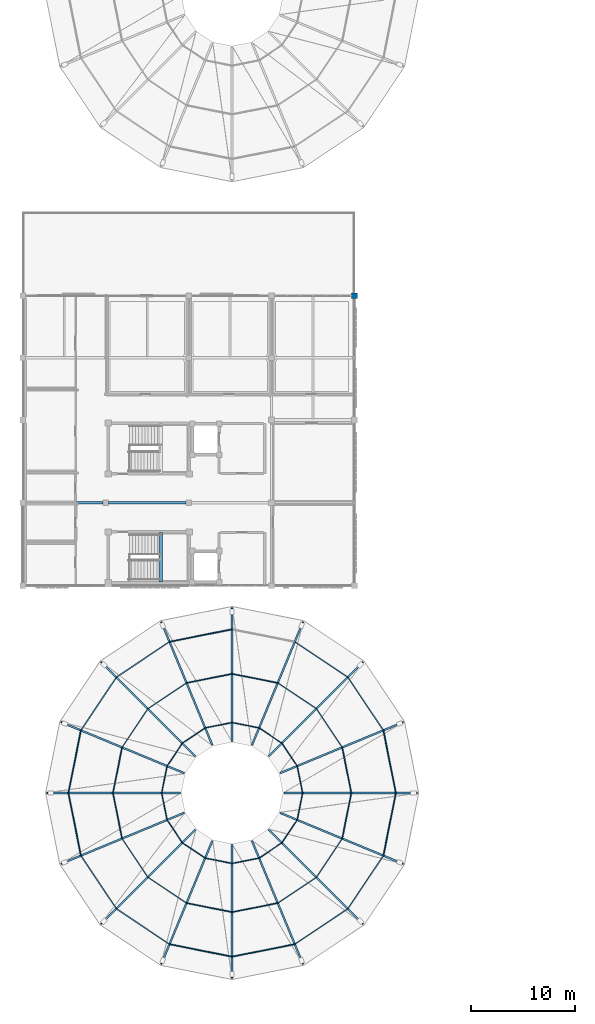
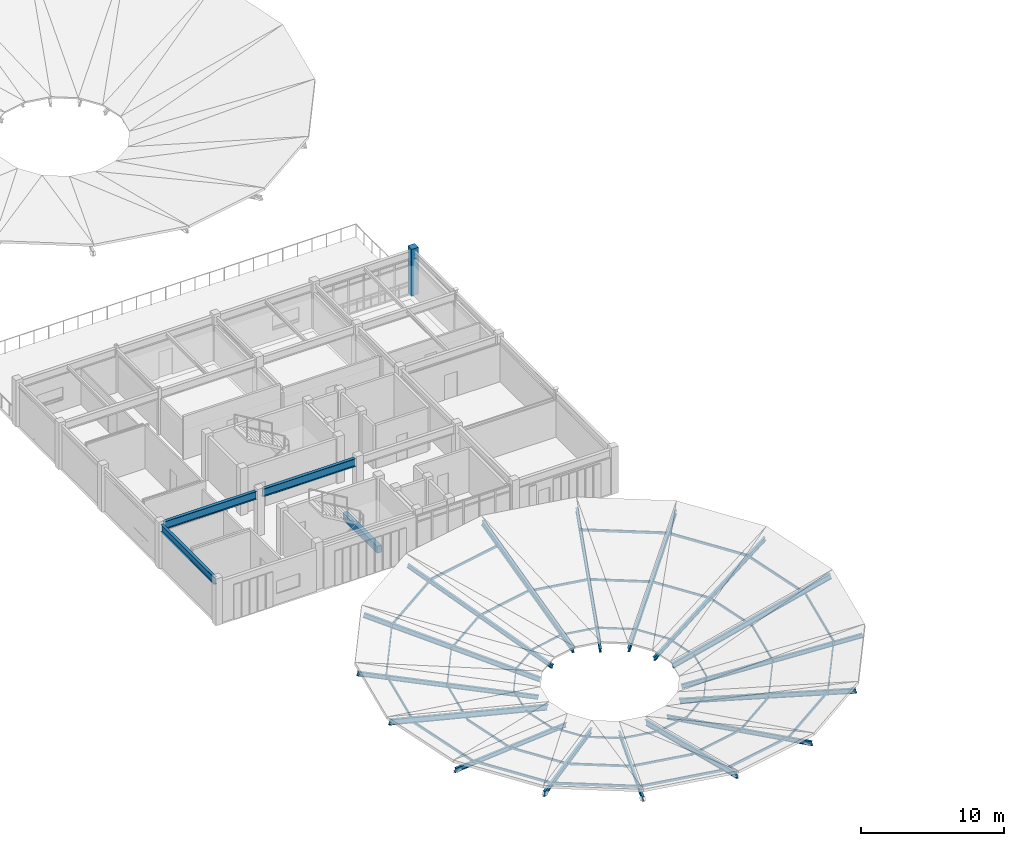
# One storey, part 5 of 31: 63 members, 4 beams, 1 column.
"""IFC4 building model written with IfcOpenShell, lengths in metres."""

import ifcopenshell
import ifcopenshell.guid

model = None  # the IFC model being written
_history = None  # IfcOwnerHistory: only IFC2X3 demands one
_inside = {}  # id of a spatial element -> (the spatial element, [elements in it])
_under = {}  # id of a project, library or spatial element -> (it, [spatial elements below it])
_declared = {}  # id of a project -> (the project, [libraries it declares])
_typed = {}  # id of a type object -> (the type object, [elements of that type])
_made_of = {}  # id of a material, layer set ... -> (it, [elements and type objects made of it])


def new_model(schema):
    """Start an empty IFC model of exactly this schema.

    Asked for "IFC4X3", IfcOpenShell would pick the latest addendum, in which some entities
    have other attributes; the version numbers below select the first issue.
    IFC2X3 requires an IfcOwnerHistory on every rooted entity: one is made here for all.
    """
    global model, _history
    if schema == "IFC4X3":
        model = ifcopenshell.file(schema_version=(4, 3, 0, 0))
    else:
        model = ifcopenshell.file(schema=schema)
    _inside.clear()
    _under.clear()
    _declared.clear()
    _typed.clear()
    _made_of.clear()
    _history = None
    if model.schema == "IFC2X3":
        org = make("IfcOrganization", Name="unknown")
        user = make(
            "IfcPersonAndOrganization",
            ThePerson=make("IfcPerson", FamilyName="unknown"),
            TheOrganization=org,
        )
        app = make(
            "IfcApplication",
            ApplicationDeveloper=org,
            Version="unknown",
            ApplicationFullName="unknown",
            ApplicationIdentifier="unknown",
        )
        _history = make(
            "IfcOwnerHistory",
            OwningUser=user,
            OwningApplication=app,
            ChangeAction="ADDED",
            CreationDate=0,
        )
    return model


def make(cls, **values):
    """One entity of the class cls with the attributes given. An attribute that is None is left unset."""
    return model.create_entity(
        cls, **{name: value for name, value in values.items() if value is not None}
    )


def rooted(cls, **values):
    """An entity with a GlobalId (a new one), such as an element, a storey or a relation."""
    return make(cls, GlobalId=ifcopenshell.guid.new(), OwnerHistory=_history, **values)


def si_unit(unit_type, name, prefix=None):
    """IfcSIUnit, for example si_unit("LENGTHUNIT", "METRE", prefix="MILLI")."""
    return make("IfcSIUnit", UnitType=unit_type, Prefix=prefix, Name=name)


def assignment(units):
    """IfcUnitAssignment: the units of a project."""
    return None if units is None else make("IfcUnitAssignment", Units=units)


def point(xyz):
    """IfcCartesianPoint."""
    return None if xyz is None else make("IfcCartesianPoint", Coordinates=xyz)


def direction(xyz):
    """IfcDirection."""
    return None if xyz is None else make("IfcDirection", DirectionRatios=xyz)


def frame(location, z_axis=None, x_axis=None):
    """IfcAxis2Placement3D, a coordinate frame: its origin and axes. An axis left out is left unset."""
    return make(
        "IfcAxis2Placement3D",
        Location=point(location),
        Axis=direction(z_axis),
        RefDirection=direction(x_axis),
    )


def frame_2d(location, x_axis=None):
    """IfcAxis2Placement2D, a coordinate frame in the plane: its origin and x axis."""
    return make(
        "IfcAxis2Placement2D", Location=point(location), RefDirection=direction(x_axis)
    )


def origin():
    """The frame at (0, 0, 0) with its axes left unset."""
    return frame((0.0, 0.0, 0.0))


def origin_2d():
    """The frame at (0, 0) in the plane with its x axis left unset."""
    return frame_2d((0.0, 0.0))


def place(relative_to, where):
    """IfcLocalPlacement: puts the frame where relative to a parent placement (None: the world)."""
    return make(
        "IfcLocalPlacement", PlacementRelTo=relative_to, RelativePlacement=where
    )


def context(
    kind, dimensions, precision=None, world=None, true_north=None, identifier=None
):
    """IfcGeometricRepresentationContext, for example the 3D "Model" context."""
    return make(
        "IfcGeometricRepresentationContext",
        ContextIdentifier=identifier,
        ContextType=kind,
        CoordinateSpaceDimension=dimensions,
        Precision=precision,
        WorldCoordinateSystem=world,
        TrueNorth=true_north,
    )


def subcontext(parent, identifier, kind, view, scale=None):
    """IfcGeometricRepresentationSubContext, for example "Body" below "Model"."""
    return make(
        "IfcGeometricRepresentationSubContext",
        ContextIdentifier=identifier,
        ContextType=kind,
        ParentContext=parent,
        TargetScale=scale,
        TargetView=view,
    )


def project(units=None, contexts=None):
    """IfcProject with its units and contexts."""
    return rooted(
        "IfcProject",
        Name="project",
        RepresentationContexts=contexts,
        UnitsInContext=assignment(units),
    )


def spatial(cls, under=None, at=None, **own):
    """A site, building, storey or space (cls), placed at a placement, below another one or the project."""
    s = rooted(cls, ObjectPlacement=at, **own)
    if under is not None:
        _under.setdefault(under.id(), (under, []))[1].append(s)
    return s


def profile(cls, at=None, kind="AREA", **sizes):
    """A parametric profile (cls). Its sizes go by their IFC names, for example OverallWidth=200.0."""
    return make(cls, ProfileType=kind, Position=at, **sizes)


def rectangle(**sizes):
    """IfcRectangleProfileDef."""
    return profile("IfcRectangleProfileDef", **sizes)


def hollow_rectangle(**sizes):
    """IfcRectangleHollowProfileDef."""
    return profile("IfcRectangleHollowProfileDef", **sizes)


def i_section(**sizes):
    """IfcIShapeProfileDef."""
    return profile("IfcIShapeProfileDef", **sizes)


def extrude(swept, where, along, depth):
    """IfcExtrudedAreaSolid: the profile swept, set in the frame where, extruded along a direction by depth."""
    return make(
        "IfcExtrudedAreaSolid",
        SweptArea=swept,
        Position=where,
        ExtrudedDirection=direction(along),
        Depth=depth,
    )


def shape(context_of_items, identifier, shape_type, items):
    """IfcShapeRepresentation: the items that make up one representation, for example the "Body"."""
    return make(
        "IfcShapeRepresentation",
        ContextOfItems=context_of_items,
        RepresentationIdentifier=identifier,
        RepresentationType=shape_type,
        Items=items,
    )


def material(Name=None, Category=None):
    """IfcMaterial."""
    return make("IfcMaterial", Name=Name, Category=Category)


def material_profile(
    of_material, cross_section, Name=None, Category=None, Priority=None
):
    """IfcMaterialProfile: a cross section and its material."""
    return make(
        "IfcMaterialProfile",
        Name=Name,
        Material=of_material,
        Profile=cross_section,
        Priority=Priority,
        Category=Category,
    )


def profile_set(profiles, Name=None, composite=None):
    """IfcMaterialProfileSet."""
    return make(
        "IfcMaterialProfileSet",
        Name=Name,
        MaterialProfiles=profiles,
        CompositeProfile=composite,
    )


def made_of(thing, what):
    """Note that an element or type object is made of a material, layer set ...; save() writes the relation."""
    if what is not None:
        _made_of.setdefault(what.id(), (what, []))[1].append(thing)
    return thing


def type_object(cls, material=None, **own):
    """A type object (cls), such as IfcWallType, which elements share."""
    return made_of(rooted(cls, **own), material)


def element(
    cls,
    number,
    at=None,
    inside=None,
    cuts=None,
    type_object=None,
    material=None,
    context=None,
    identifier="Body",
    shape_type=None,
    held_by="IfcProductDefinitionShape",
    body=None,
    shapes=None,
    **own,
):
    """One element of the class cls, such as IfcWall. Its Tag is "e" and its number.

    at: its placement. inside: the storey or other place that contains it. cuts: it is an
    opening in that element (IfcRelVoidsElement). A single representation is given by context,
    identifier, shape_type and body (its items); several are given by shapes. held_by: the class
    of the entity that holds the representations. save() writes the other relations.
    """
    e = rooted(cls, Tag="e%d" % number, ObjectPlacement=at, **own)
    if body is not None:
        shapes = [shape(context, identifier, shape_type, body)]
    if shapes is not None:
        e.Representation = make(held_by, Representations=shapes)
    if inside is not None:
        _inside.setdefault(inside.id(), (inside, []))[1].append(e)
    if cuts is not None:
        rooted(
            "IfcRelVoidsElement", RelatingBuildingElement=cuts, RelatedOpeningElement=e
        )
    if type_object is not None:
        _typed.setdefault(type_object.id(), (type_object, []))[1].append(e)
    return made_of(e, material)


def aggregate(whole, parts):
    """IfcRelAggregates: a whole, such as a stair, and the parts it consists of."""
    return rooted("IfcRelAggregates", RelatingObject=whole, RelatedObjects=parts)


def save(model, path):
    """Write the relations noted so far, then the file.

    IfcRelAggregates (storeys below a building ...), IfcRelContainedInSpatialStructure (elements
    in a storey), IfcRelDefinesByType, IfcRelAssociatesMaterial and IfcRelDeclares: one each for
    every whole, place, type object, material and project.
    """
    for whole, parts in _under.values():
        aggregate(whole, parts)
    for where, things in _inside.values():
        rooted(
            "IfcRelContainedInSpatialStructure",
            RelatedElements=things,
            RelatingStructure=where,
        )
    for kind, things in _typed.values():
        rooted("IfcRelDefinesByType", RelatedObjects=things, RelatingType=kind)
    for what, things in _made_of.values():
        rooted("IfcRelAssociatesMaterial", RelatedObjects=things, RelatingMaterial=what)
    for by, libraries in _declared.values():
        rooted("IfcRelDeclares", RelatingContext=by, RelatedDefinitions=libraries)
    model.write(path)


model = new_model("IFC4")

# Units and contexts
model_context = context("Model", 3, precision=1e-05, world=origin(), true_north=direction((0.0, 1.0)))
body_context = subcontext(model_context, "Body", "Model", "MODEL_VIEW")
ifc_project = project(units=[si_unit("LENGTHUNIT", "METRE"), si_unit("AREAUNIT", "SQUARE_METRE"), si_unit("VOLUMEUNIT", "CUBIC_METRE"), si_unit("PLANEANGLEUNIT", "RADIAN"), si_unit("MASSUNIT", "GRAM", prefix="KILO")], contexts=[model_context])

# Site, building, storey
site_placement = place(None, origin())
site = spatial("IfcSite", under=ifc_project, at=site_placement, CompositionType="ELEMENT")
building_placement = place(site_placement, origin())
building = spatial("IfcBuilding", under=site, at=building_placement, Name="Celadon Cloister-Ring School", CompositionType="ELEMENT")
storey_placement = place(building_placement, frame((0.0, 0.0, 16.5)))
storey = spatial("IfcBuildingStorey", under=building, at=storey_placement, Name="L04", CompositionType="ELEMENT", Elevation=16.5)

# Column
ifc_material_1 = material(Name="Concrete C40/50", Category="concrete")
ifc_material_profile_1 = material_profile(ifc_material_1, rectangle(XDim=0.550048828125, YDim=0.550048828125, at=origin_2d()), Name="RC550X550")
ifc_profile_set_1 = profile_set([ifc_material_profile_1], Name="Concrete C40/50")
column_type = type_object("IfcColumnType", Name="CT-24", PredefinedType="COLUMN", material=ifc_profile_set_1)
column_placement = place(storey_placement, frame((32.0, 68.0, 0.0), z_axis=(0.0, 0.0, 1.0), x_axis=(1.0, 0.0, 0.0)))
element("IfcColumn", 1, at=column_placement, inside=storey, type_object=column_type, Name="Column 1172", PredefinedType="COLUMN", context=body_context, shape_type="SweptSolid", body=[
    extrude(rectangle(XDim=0.550048828125, YDim=0.550048828125, at=origin_2d()), origin(), (0.0, 0.0, 1.0), 4.0),
])

# Beams
ifc_material_2 = material(Name="Concrete C35/45", Category="concrete")
ifc_material_profile_2 = material_profile(ifc_material_2, rectangle(XDim=0.35009765625, YDim=0.60009765625, at=origin_2d()), Name="RC350X600")
ifc_profile_set_2 = profile_set([ifc_material_profile_2], Name="Concrete C35/45")
beam_type_1 = type_object("IfcBeamType", Name="BT-02", PredefinedType="BEAM", material=ifc_profile_set_2)
beam_1_placement = place(storey_placement, frame((13.300048828125, 40.35009765625, 1.419921875), z_axis=(0.0, 1.0, 0.0), x_axis=(-1.0, 0.0, 0.0)))
element("IfcBeam", 2, at=beam_1_placement, inside=storey, type_object=beam_type_1, Name="Stair Landing Beam 1725", PredefinedType="BEAM", context=body_context, shape_type="SweptSolid", body=[
    extrude(rectangle(XDim=0.35009765625, YDim=0.60009765625, at=origin_2d()), origin(), (0.0, 0.0, 1.0), 4.7998046875),
])
ifc_material_3 = material(Name="Structural steel S355JR", Category="steel")
ifc_material_profile_3 = material_profile(ifc_material_3, i_section(OverallWidth=0.22802734375, OverallDepth=0.60302734375, WebThickness=0.010498046875, FlangeThickness=0.014892578125, at=origin_2d()), Name="W610X101")
ifc_profile_set_3 = profile_set([ifc_material_profile_3], Name="Structural steel S355JR")
beam_type_2 = type_object("IfcBeamType", Name="BT-03", PredefinedType="BEAM", material=ifc_profile_set_3)
beam_2_placement = place(storey_placement, frame((0.0, 40.25, 3.458984375), z_axis=(0.0, 1.0, 0.0), x_axis=(-1.0, 0.0, 0.0)))
element("IfcBeam", 3, at=beam_2_placement, inside=storey, type_object=beam_type_2, Name="Beam 1661", PredefinedType="BEAM", context=body_context, shape_type="SweptSolid", body=[
    extrude(i_section(OverallWidth=0.22802734375, OverallDepth=0.60302734375, WebThickness=0.010498046875, FlangeThickness=0.014892578125, at=origin_2d()), origin(), (0.0, 0.0, 1.0), 7.5),
])
ifc_material_4 = material(Name="Structural steel S355JR", Category="steel")
ifc_material_profile_4 = material_profile(ifc_material_4, i_section(OverallWidth=0.25390625, OverallDepth=0.68408203125, WebThickness=0.012451171875, FlangeThickness=0.018798828125, at=origin_2d()), Name="W690X140")
ifc_profile_set_4 = profile_set([ifc_material_profile_4], Name="Structural steel S355JR")
beam_type_3 = type_object("IfcBeamType", Name="GT-04", PredefinedType="USERDEFINED", material=ifc_profile_set_4)
for number, where, z_axis, x_axis, name in (
    (4, (0.25, 48.0, 3.41796875), (1.0, 0.0, 0.0), (0.0, 1.0, 0.0), "Beam 1649"),
    (5, (8.25, 48.0, 3.41796875), (1.0, 0.0, 0.0), (0.0, 1.0, 0.0), "Beam 1650"),
):
    element("IfcBeam", number, at=place(storey_placement, frame(where, z_axis=z_axis, x_axis=x_axis)), inside=storey, type_object=beam_type_3, Name=name, ObjectType="GIRDER", PredefinedType="USERDEFINED", context=body_context, shape_type="SweptSolid", body=[
        extrude(i_section(OverallWidth=0.25390625, OverallDepth=0.68408203125, WebThickness=0.012451171875, FlangeThickness=0.018798828125, at=origin_2d()), origin(), (0.0, 0.0, 1.0), 7.5),
    ])

# Members
ifc_material_5 = material(Name="Structural steel S355JR", Category="steel")
ifc_material_profile_5 = material_profile(ifc_material_5, hollow_rectangle(XDim=0.10009765625, YDim=0.199951171875, WallThickness=0.008056640625, at=origin_2d()), Name="HSS200X100X8")
ifc_profile_set_5 = profile_set([ifc_material_profile_5], Name="Structural steel S355JR")
member_type_1 = type_object("IfcMemberType", Name="MP-01", PredefinedType="PURLIN", material=ifc_profile_set_5)
member_1_placement = place(storey_placement, frame((36.0048828125, 19.97509765625, 2.050048828125), z_axis=(-0.195141599345, 0.980775079315, 0.0), x_axis=(-0.980775079315, -0.195141599345, 0.0)))
element("IfcMember", 6, at=member_1_placement, inside=storey, type_object=member_type_1, Name="Structural Member 0367", PredefinedType="PURLIN", context=body_context, shape_type="SweptSolid", body=[
    extrude(hollow_rectangle(XDim=0.10009765625, YDim=0.199951171875, WallThickness=0.008056640625, at=origin_2d()), origin(), (0.0, 0.0, 1.0), 6.21533203125),
])
for number, where, z_axis, x_axis, name in (
    (7, (34.81103515625, 26.02490234375, 2.050048828125), (-0.555551941849, 0.831481833781, 0.0), (-0.831481833781, -0.555551941849, 0.0), "Structural Member 0368"),
    (8, (31.39306640625, 31.157958984375, 2.050048828125), (-0.83146971042, 0.555570086176, 0.0), (-0.555570086176, -0.83146971042, 0.0), "Structural Member 0369"),
    (9, (20.22509765625, 35.804931640625, 2.050048828125), (-0.980776575009, -0.195134081884, 0.0), (0.195134081884, -0.980776575009, 0.0), "Structural Member 0371"),
    (10, (14.175048828125, 34.611083984375, 2.050048828125), (-0.83146971042, -0.555570086176, 0.0), (0.555570086176, -0.83146971042, 0.0), "Structural Member 0372"),
    (11, (9.0419921875, 31.193115234375, 2.050048828125), (-0.555524785451, -0.831499977601, 0.0), (0.831499977601, -0.555524785451, 0.0), "Structural Member 0373"),
):
    element("IfcMember", number, at=place(storey_placement, frame(where, z_axis=z_axis, x_axis=x_axis)), inside=storey, type_object=member_type_1, Name=name, PredefinedType="PURLIN", context=body_context, shape_type="SweptSolid", body=[
        extrude(hollow_rectangle(XDim=0.10009765625, YDim=0.199951171875, WallThickness=0.008056640625, at=origin_2d()), origin(), (0.0, 0.0, 1.0), 6.215576171875),
    ])
for number, where, z_axis, x_axis, name in (
    (12, (5.60791015625, 26.071044921875, 2.050048828125), (-0.195141599345, -0.980775079315, 0.0), (0.980775079315, -0.195141599345, 0.0), "Structural Member 0374"),
    (13, (4.39501953125, 20.02490234375, 2.050048828125), (0.195141599345, -0.980775079315, 0.0), (0.980775079315, 0.195141599345, 0.0), "Structural Member 0375"),
):
    element("IfcMember", number, at=place(storey_placement, frame(where, z_axis=z_axis, x_axis=x_axis)), inside=storey, type_object=member_type_1, Name=name, PredefinedType="PURLIN", context=body_context, shape_type="SweptSolid", body=[
        extrude(hollow_rectangle(XDim=0.10009765625, YDim=0.199951171875, WallThickness=0.008056640625, at=origin_2d()), origin(), (0.0, 0.0, 1.0), 6.21533203125),
    ])
for number, where, z_axis, x_axis, name in (
    (14, (5.589111328125, 13.97509765625, 2.050048828125), (0.555524785451, -0.831499977601, 0.0), (0.831499977601, 0.555524785451, 0.0), "Structural Member 0376"),
    (15, (9.007080078125, 8.842041015625, 2.050048828125), (0.83146971042, -0.555570086176, 0.0), (0.555570086176, 0.83146971042, 0.0), "Structural Member 0377"),
    (16, (14.12890625, 5.407958984375, 2.050048828125), (0.980776575009, -0.195134081884, 0.0), (0.195134081884, 0.980776575009, 0.0), "Structural Member 0378"),
):
    element("IfcMember", number, at=place(storey_placement, frame(where, z_axis=z_axis, x_axis=x_axis)), inside=storey, type_object=member_type_1, Name=name, PredefinedType="PURLIN", context=body_context, shape_type="SweptSolid", body=[
        extrude(hollow_rectangle(XDim=0.10009765625, YDim=0.199951171875, WallThickness=0.008056640625, at=origin_2d()), origin(), (0.0, 0.0, 1.0), 6.215576171875),
    ])
member_2_placement = place(storey_placement, frame((20.175048828125, 4.195068359375, 2.050048828125), z_axis=(0.980775079315, 0.195141599345, 0.0), x_axis=(-0.195141599345, 0.980775079315, 0.0)))
element("IfcMember", 17, at=member_2_placement, inside=storey, type_object=member_type_1, Name="Structural Member 0379", PredefinedType="PURLIN", context=body_context, shape_type="SweptSolid", body=[
    extrude(hollow_rectangle(XDim=0.10009765625, YDim=0.199951171875, WallThickness=0.008056640625, at=origin_2d()), origin(), (0.0, 0.0, 1.0), 6.21533203125),
])
for number, where, z_axis, x_axis, name in (
    (18, (26.22509765625, 5.388916015625, 2.050048828125), (0.83146971042, 0.555570086176, 0.0), (-0.555570086176, 0.83146971042, 0.0), "Structural Member 0380"),
    (19, (31.35791015625, 8.806884765625, 2.050048828125), (0.555551941849, 0.831481833781, 0.0), (-0.831481833781, 0.555551941849, 0.0), "Structural Member 0381"),
):
    element("IfcMember", number, at=place(storey_placement, frame(where, z_axis=z_axis, x_axis=x_axis)), inside=storey, type_object=member_type_1, Name=name, PredefinedType="PURLIN", context=body_context, shape_type="SweptSolid", body=[
        extrude(hollow_rectangle(XDim=0.10009765625, YDim=0.199951171875, WallThickness=0.008056640625, at=origin_2d()), origin(), (0.0, 0.0, 1.0), 6.215576171875),
    ])
member_3_placement = place(storey_placement, frame((34.7919921875, 13.928955078125, 2.050048828125), z_axis=(0.195141599345, 0.980775079315, 0.0), x_axis=(-0.980775079315, 0.195141599345, 0.0)))
element("IfcMember", 20, at=member_3_placement, inside=storey, type_object=member_type_1, Name="Structural Member 0382", PredefinedType="PURLIN", context=body_context, shape_type="SweptSolid", body=[
    extrude(hollow_rectangle(XDim=0.10009765625, YDim=0.199951171875, WallThickness=0.008056640625, at=origin_2d()), origin(), (0.0, 0.0, 1.0), 6.21533203125),
])
ifc_material_6 = material(Name="Structural steel S355JR", Category="steel")
ifc_material_profile_6 = material_profile(ifc_material_6, hollow_rectangle(XDim=0.090087890625, YDim=0.179931640625, WallThickness=0.006103515625, at=origin_2d()), Name="HSS180X90X6")
ifc_profile_set_6 = profile_set([ifc_material_profile_6], Name="Structural steel S355JR")
member_type_2 = type_object("IfcMemberType", Name="MP-02", PredefinedType="PURLIN", material=ifc_profile_set_6)
member_4_placement = place(storey_placement, frame((31.705078125, 19.97509765625, 0.7939453125), z_axis=(-0.195019351943, 0.980799394559, 0.0), x_axis=(-0.980799394559, -0.195019351943, 0.0)))
element("IfcMember", 21, at=member_4_placement, inside=storey, type_object=member_type_2, Name="Structural Member 0351", PredefinedType="PURLIN", context=body_context, shape_type="SweptSolid", body=[
    extrude(hollow_rectangle(XDim=0.090087890625, YDim=0.179931640625, WallThickness=0.006103515625, at=origin_2d()), origin(), (0.0, 0.0, 1.0), 4.5380859375),
])
member_5_placement = place(storey_placement, frame((30.839111328125, 24.3798828125, 0.7939453125), z_axis=(-0.555544164986, 0.831487029814, 0.0), x_axis=(-0.831487029814, -0.555544164986, 0.0)))
element("IfcMember", 22, at=member_5_placement, inside=storey, type_object=member_type_2, Name="Structural Member 0352", PredefinedType="PURLIN", context=body_context, shape_type="SweptSolid", body=[
    extrude(hollow_rectangle(XDim=0.090087890625, YDim=0.179931640625, WallThickness=0.006103515625, at=origin_2d()), origin(), (0.0, 0.0, 1.0), 4.537841796875),
])
member_6_placement = place(storey_placement, frame((28.35302734375, 28.117919921875, 0.7939453125), z_axis=(-0.831470424282, 0.555569017804, 0.0), x_axis=(-0.555569017804, -0.831470424282, 0.0)))
element("IfcMember", 23, at=member_6_placement, inside=storey, type_object=member_type_2, Name="Structural Member 0353", PredefinedType="PURLIN", context=body_context, shape_type="SweptSolid", body=[
    extrude(hollow_rectangle(XDim=0.090087890625, YDim=0.179931640625, WallThickness=0.006103515625, at=origin_2d()), origin(), (0.0, 0.0, 1.0), 4.53759765625),
])
member_7_placement = place(storey_placement, frame((24.6259765625, 30.6201171875, 0.7939453125), z_axis=(-0.980809683591, 0.194967598779, 0.0), x_axis=(-0.194967598779, -0.980809683591, 0.0)))
element("IfcMember", 24, at=member_7_placement, inside=storey, type_object=member_type_2, Name="Structural Member 0354", PredefinedType="PURLIN", context=body_context, shape_type="SweptSolid", body=[
    extrude(hollow_rectangle(XDim=0.090087890625, YDim=0.179931640625, WallThickness=0.006103515625, at=origin_2d()), origin(), (0.0, 0.0, 1.0), 4.5380859375),
])
member_8_placement = place(storey_placement, frame((20.22509765625, 31.5048828125, 0.7939453125), z_axis=(-0.980811728457, -0.194957311536, 0.0), x_axis=(0.194957311536, -0.980811728457, 0.0)))
element("IfcMember", 25, at=member_8_placement, inside=storey, type_object=member_type_2, Name="Structural Member 0355", PredefinedType="PURLIN", context=body_context, shape_type="SweptSolid", body=[
    extrude(hollow_rectangle(XDim=0.090087890625, YDim=0.179931640625, WallThickness=0.006103515625, at=origin_2d()), origin(), (0.0, 0.0, 1.0), 4.538330078125),
])
member_9_placement = place(storey_placement, frame((15.820068359375, 30.638916015625, 0.7939453125), z_axis=(-0.831470424282, -0.555569017804, 0.0), x_axis=(0.555569017804, -0.831470424282, 0.0)))
element("IfcMember", 26, at=member_9_placement, inside=storey, type_object=member_type_2, Name="Structural Member 0356", PredefinedType="PURLIN", context=body_context, shape_type="SweptSolid", body=[
    extrude(hollow_rectangle(XDim=0.090087890625, YDim=0.179931640625, WallThickness=0.006103515625, at=origin_2d()), origin(), (0.0, 0.0, 1.0), 4.53759765625),
])
member_10_placement = place(storey_placement, frame((12.08203125, 28.153076171875, 0.7939453125), z_axis=(-0.555544164986, -0.831487029814, 0.0), x_axis=(0.831487029814, -0.555544164986, 0.0)))
element("IfcMember", 27, at=member_10_placement, inside=storey, type_object=member_type_2, Name="Structural Member 0357", PredefinedType="PURLIN", context=body_context, shape_type="SweptSolid", body=[
    extrude(hollow_rectangle(XDim=0.090087890625, YDim=0.179931640625, WallThickness=0.006103515625, at=origin_2d()), origin(), (0.0, 0.0, 1.0), 4.537841796875),
])
for number, where, z_axis, x_axis, name in (
    (28, (9.580078125, 24.426025390625, 0.7939453125), (-0.195019351943, -0.980799394559, 0.0), (0.980799394559, -0.195019351943, 0.0), "Structural Member 0358"),
    (29, (8.695068359375, 20.02490234375, 0.7939453125), (0.195019351943, -0.980799394559, 0.0), (0.980799394559, 0.195019351943, 0.0), "Structural Member 0359"),
):
    element("IfcMember", number, at=place(storey_placement, frame(where, z_axis=z_axis, x_axis=x_axis)), inside=storey, type_object=member_type_2, Name=name, PredefinedType="PURLIN", context=body_context, shape_type="SweptSolid", body=[
        extrude(hollow_rectangle(XDim=0.090087890625, YDim=0.179931640625, WallThickness=0.006103515625, at=origin_2d()), origin(), (0.0, 0.0, 1.0), 4.5380859375),
    ])
member_11_placement = place(storey_placement, frame((9.56103515625, 15.6201171875, 0.7939453125), z_axis=(0.555544164986, -0.831487029814, 0.0), x_axis=(0.831487029814, 0.555544164986, 0.0)))
element("IfcMember", 30, at=member_11_placement, inside=storey, type_object=member_type_2, Name="Structural Member 0360", PredefinedType="PURLIN", context=body_context, shape_type="SweptSolid", body=[
    extrude(hollow_rectangle(XDim=0.090087890625, YDim=0.179931640625, WallThickness=0.006103515625, at=origin_2d()), origin(), (0.0, 0.0, 1.0), 4.537841796875),
])
member_12_placement = place(storey_placement, frame((12.047119140625, 11.882080078125, 0.7939453125), z_axis=(0.831470424282, -0.555569017804, 0.0), x_axis=(0.555569017804, 0.831470424282, 0.0)))
element("IfcMember", 31, at=member_12_placement, inside=storey, type_object=member_type_2, Name="Structural Member 0361", PredefinedType="PURLIN", context=body_context, shape_type="SweptSolid", body=[
    extrude(hollow_rectangle(XDim=0.090087890625, YDim=0.179931640625, WallThickness=0.006103515625, at=origin_2d()), origin(), (0.0, 0.0, 1.0), 4.53759765625),
])
member_13_placement = place(storey_placement, frame((15.77392578125, 9.3798828125, 0.7939453125), z_axis=(0.980811728457, -0.194957311536, 0.0), x_axis=(0.194957311536, 0.980811728457, 0.0)))
element("IfcMember", 32, at=member_13_placement, inside=storey, type_object=member_type_2, Name="Structural Member 0362", PredefinedType="PURLIN", context=body_context, shape_type="SweptSolid", body=[
    extrude(hollow_rectangle(XDim=0.090087890625, YDim=0.179931640625, WallThickness=0.006103515625, at=origin_2d()), origin(), (0.0, 0.0, 1.0), 4.538330078125),
])
member_14_placement = place(storey_placement, frame((20.175048828125, 8.4951171875, 0.7939453125), z_axis=(0.980809683591, 0.194967598779, 0.0), x_axis=(-0.194967598779, 0.980809683591, 0.0)))
element("IfcMember", 33, at=member_14_placement, inside=storey, type_object=member_type_2, Name="Structural Member 0363", PredefinedType="PURLIN", context=body_context, shape_type="SweptSolid", body=[
    extrude(hollow_rectangle(XDim=0.090087890625, YDim=0.179931640625, WallThickness=0.006103515625, at=origin_2d()), origin(), (0.0, 0.0, 1.0), 4.5380859375),
])
member_15_placement = place(storey_placement, frame((24.580078125, 9.361083984375, 0.7939453125), z_axis=(0.831470424282, 0.555569017804, 0.0), x_axis=(-0.555569017804, 0.831470424282, 0.0)))
element("IfcMember", 34, at=member_15_placement, inside=storey, type_object=member_type_2, Name="Structural Member 0364", PredefinedType="PURLIN", context=body_context, shape_type="SweptSolid", body=[
    extrude(hollow_rectangle(XDim=0.090087890625, YDim=0.179931640625, WallThickness=0.006103515625, at=origin_2d()), origin(), (0.0, 0.0, 1.0), 4.53759765625),
])
member_16_placement = place(storey_placement, frame((28.318115234375, 11.846923828125, 0.7939453125), z_axis=(0.555544164986, 0.831487029814, 0.0), x_axis=(-0.831487029814, 0.555544164986, 0.0)))
element("IfcMember", 35, at=member_16_placement, inside=storey, type_object=member_type_2, Name="Structural Member 0365", PredefinedType="PURLIN", context=body_context, shape_type="SweptSolid", body=[
    extrude(hollow_rectangle(XDim=0.090087890625, YDim=0.179931640625, WallThickness=0.006103515625, at=origin_2d()), origin(), (0.0, 0.0, 1.0), 4.537841796875),
])
member_17_placement = place(storey_placement, frame((30.820068359375, 15.573974609375, 0.7939453125), z_axis=(0.195019351943, 0.980799394559, 0.0), x_axis=(-0.980799394559, 0.195019351943, 0.0)))
element("IfcMember", 36, at=member_17_placement, inside=storey, type_object=member_type_2, Name="Structural Member 0366", PredefinedType="PURLIN", context=body_context, shape_type="SweptSolid", body=[
    extrude(hollow_rectangle(XDim=0.090087890625, YDim=0.179931640625, WallThickness=0.006103515625, at=origin_2d()), origin(), (0.0, 0.0, 1.0), 4.5380859375),
])
ifc_material_7 = material(Name="Structural steel S355JR", Category="steel")
ifc_material_profile_7 = material_profile(ifc_material_7, hollow_rectangle(XDim=0.074951171875, YDim=0.14990234375, WallThickness=0.006103515625, at=origin_2d()), Name="HSS150X75X6")
ifc_profile_set_7 = profile_set([ifc_material_profile_7], Name="Structural steel S355JR")
member_type_3 = type_object("IfcMemberType", Name="MP-03", PredefinedType="PURLIN", material=ifc_profile_set_7)
for number, where, z_axis, x_axis, name in (
    (37, (27.0048828125, 19.97509765625, -0.075927734375), (-0.195213123579, 0.980760845661, 0.0), (-0.980760845661, -0.195213123579, 0.0), "Structural Member 0335"),
    (38, (26.49609375, 22.5810546875, -0.075927734375), (-0.555595896174, 0.831452464158, 0.0), (-0.831452464158, -0.555595896174, 0.0), "Structural Member 0336"),
):
    element("IfcMember", number, at=place(storey_placement, frame(where, z_axis=z_axis, x_axis=x_axis)), inside=storey, type_object=member_type_3, Name=name, PredefinedType="PURLIN", context=body_context, shape_type="SweptSolid", body=[
        extrude(hollow_rectangle(XDim=0.074951171875, YDim=0.14990234375, WallThickness=0.006103515625, at=origin_2d()), origin(), (0.0, 0.0, 1.0), 2.703857421875),
    ])
member_18_placement = place(storey_placement, frame((25.029052734375, 24.7939453125, -0.075927734375), z_axis=(-0.831494176633, 0.555533468141, 0.0), x_axis=(-0.555533468141, -0.831494176633, 0.0)))
element("IfcMember", 39, at=member_18_placement, inside=storey, type_object=member_type_3, Name="Structural Member 0337", PredefinedType="PURLIN", context=body_context, shape_type="SweptSolid", body=[
    extrude(hollow_rectangle(XDim=0.074951171875, YDim=0.14990234375, WallThickness=0.006103515625, at=origin_2d()), origin(), (0.0, 0.0, 1.0), 2.70361328125),
])
member_19_placement = place(storey_placement, frame((22.826904296875, 26.277099609375, -0.075927734375), z_axis=(-0.980760845661, 0.195213123579, 0.0), x_axis=(-0.195213123579, -0.980760845661, 0.0)))
element("IfcMember", 40, at=member_19_placement, inside=storey, type_object=member_type_3, Name="Structural Member 0338", PredefinedType="PURLIN", context=body_context, shape_type="SweptSolid", body=[
    extrude(hollow_rectangle(XDim=0.074951171875, YDim=0.14990234375, WallThickness=0.006103515625, at=origin_2d()), origin(), (0.0, 0.0, 1.0), 2.703857421875),
])
member_20_placement = place(storey_placement, frame((20.22509765625, 26.804931640625, -0.075927734375), z_axis=(-0.980764286099, -0.195195837848, 0.0), x_axis=(0.195195837848, -0.980764286099, 0.0)))
element("IfcMember", 41, at=member_20_placement, inside=storey, type_object=member_type_3, Name="Structural Member 0339", PredefinedType="PURLIN", context=body_context, shape_type="SweptSolid", body=[
    extrude(hollow_rectangle(XDim=0.074951171875, YDim=0.14990234375, WallThickness=0.006103515625, at=origin_2d()), origin(), (0.0, 0.0, 1.0), 2.7041015625),
])
member_21_placement = place(storey_placement, frame((17.618896484375, 26.2958984375, -0.075927734375), z_axis=(-0.831466304945, -0.555575182798, 0.0), x_axis=(0.555575182798, -0.831466304945, 0.0)))
element("IfcMember", 42, at=member_21_placement, inside=storey, type_object=member_type_3, Name="Structural Member 0340", PredefinedType="PURLIN", context=body_context, shape_type="SweptSolid", body=[
    extrude(hollow_rectangle(XDim=0.074951171875, YDim=0.14990234375, WallThickness=0.006103515625, at=origin_2d()), origin(), (0.0, 0.0, 1.0), 2.703369140625),
])
member_22_placement = place(storey_placement, frame((15.406005859375, 24.8291015625, -0.075927734375), z_axis=(-0.555533468141, -0.831494176633, 0.0), x_axis=(0.831494176633, -0.555533468141, 0.0)))
element("IfcMember", 43, at=member_22_placement, inside=storey, type_object=member_type_3, Name="Structural Member 0341", PredefinedType="PURLIN", context=body_context, shape_type="SweptSolid", body=[
    extrude(hollow_rectangle(XDim=0.074951171875, YDim=0.14990234375, WallThickness=0.006103515625, at=origin_2d()), origin(), (0.0, 0.0, 1.0), 2.70361328125),
])
for number, where, z_axis, x_axis, name in (
    (44, (13.923095703125, 22.626953125, -0.075927734375), (-0.19529997323, -0.980743554889, 0.0), (0.980743554889, -0.19529997323, 0.0), "Structural Member 0342"),
    (45, (13.39501953125, 20.02490234375, -0.075927734375), (0.19529997323, -0.980743554889, 0.0), (0.980743554889, 0.19529997323, 0.0), "Structural Member 0343"),
):
    element("IfcMember", number, at=place(storey_placement, frame(where, z_axis=z_axis, x_axis=x_axis)), inside=storey, type_object=member_type_3, Name=name, PredefinedType="PURLIN", context=body_context, shape_type="SweptSolid", body=[
        extrude(hollow_rectangle(XDim=0.074951171875, YDim=0.14990234375, WallThickness=0.006103515625, at=origin_2d()), origin(), (0.0, 0.0, 1.0), 2.703857421875),
    ])
member_23_placement = place(storey_placement, frame((13.904052734375, 17.4189453125, -0.075927734375), z_axis=(0.555533468141, -0.831494176633, 0.0), x_axis=(0.831494176633, 0.555533468141, 0.0)))
element("IfcMember", 46, at=member_23_placement, inside=storey, type_object=member_type_3, Name="Structural Member 0344", PredefinedType="PURLIN", context=body_context, shape_type="SweptSolid", body=[
    extrude(hollow_rectangle(XDim=0.074951171875, YDim=0.14990234375, WallThickness=0.006103515625, at=origin_2d()), origin(), (0.0, 0.0, 1.0), 2.70361328125),
])
member_24_placement = place(storey_placement, frame((15.37109375, 15.2060546875, -0.075927734375), z_axis=(0.831466304945, -0.555575182798, 0.0), x_axis=(0.555575182798, 0.831466304945, 0.0)))
element("IfcMember", 47, at=member_24_placement, inside=storey, type_object=member_type_3, Name="Structural Member 0345", PredefinedType="PURLIN", context=body_context, shape_type="SweptSolid", body=[
    extrude(hollow_rectangle(XDim=0.074951171875, YDim=0.14990234375, WallThickness=0.006103515625, at=origin_2d()), origin(), (0.0, 0.0, 1.0), 2.703369140625),
])
member_25_placement = place(storey_placement, frame((17.572998046875, 13.722900390625, -0.075927734375), z_axis=(0.980764286099, -0.195195837848, 0.0), x_axis=(0.195195837848, 0.980764286099, 0.0)))
element("IfcMember", 48, at=member_25_placement, inside=storey, type_object=member_type_3, Name="Structural Member 0346", PredefinedType="PURLIN", context=body_context, shape_type="SweptSolid", body=[
    extrude(hollow_rectangle(XDim=0.074951171875, YDim=0.14990234375, WallThickness=0.006103515625, at=origin_2d()), origin(), (0.0, 0.0, 1.0), 2.7041015625),
])
member_26_placement = place(storey_placement, frame((20.175048828125, 13.195068359375, -0.075927734375), z_axis=(0.980760845661, 0.195213123579, 0.0), x_axis=(-0.195213123579, 0.980760845661, 0.0)))
element("IfcMember", 49, at=member_26_placement, inside=storey, type_object=member_type_3, Name="Structural Member 0347", PredefinedType="PURLIN", context=body_context, shape_type="SweptSolid", body=[
    extrude(hollow_rectangle(XDim=0.074951171875, YDim=0.14990234375, WallThickness=0.006103515625, at=origin_2d()), origin(), (0.0, 0.0, 1.0), 2.703857421875),
])
member_27_placement = place(storey_placement, frame((22.781005859375, 13.7041015625, -0.075927734375), z_axis=(0.831494176633, 0.555533468141, 0.0), x_axis=(-0.555533468141, 0.831494176633, 0.0)))
element("IfcMember", 50, at=member_27_placement, inside=storey, type_object=member_type_3, Name="Structural Member 0348", PredefinedType="PURLIN", context=body_context, shape_type="SweptSolid", body=[
    extrude(hollow_rectangle(XDim=0.074951171875, YDim=0.14990234375, WallThickness=0.006103515625, at=origin_2d()), origin(), (0.0, 0.0, 1.0), 2.70361328125),
])
for number, where, z_axis, x_axis, name in (
    (51, (24.993896484375, 15.1708984375, -0.075927734375), (0.555595896174, 0.831452464158, 0.0), (-0.831452464158, 0.555595896174, 0.0), "Structural Member 0349"),
    (52, (26.47705078125, 17.373046875, -0.075927734375), (0.195213123579, 0.980760845661, 0.0), (-0.980760845661, 0.195213123579, 0.0), "Structural Member 0350"),
):
    element("IfcMember", number, at=place(storey_placement, frame(where, z_axis=z_axis, x_axis=x_axis)), inside=storey, type_object=member_type_3, Name=name, PredefinedType="PURLIN", context=body_context, shape_type="SweptSolid", body=[
        extrude(hollow_rectangle(XDim=0.074951171875, YDim=0.14990234375, WallThickness=0.006103515625, at=origin_2d()), origin(), (0.0, 0.0, 1.0), 2.703857421875),
    ])
ifc_material_8 = material(Name="Structural steel S355JR", Category="steel")
ifc_material_profile_8 = material_profile(ifc_material_8, i_section(OverallWidth=0.19189453125, OverallDepth=0.462890625, WebThickness=0.010498046875, FlangeThickness=0.017578125, at=origin_2d()), Name="W460X89")
ifc_profile_set_8 = profile_set([ifc_material_profile_8], Name="Structural steel S355JR")
member_type_4 = type_object("IfcMemberType", Name="MR-02", PredefinedType="RAFTER", material=ifc_profile_set_8)
for number, where, z_axis, x_axis, name in (
    (53, (25.25, 20.0, -0.364990234375), (0.970143588603, 0.0, 0.242531271163), (0.0, 1.0, 0.0), "Structural Member 0319"),
    (54, (20.199951171875, 25.050048828125, -0.364990234375), (0.0, 0.970143588603, 0.242531271163), (-1.0, 0.0, 0.0), "Structural Member 0323"),
):
    element("IfcMember", number, at=place(storey_placement, frame(where, z_axis=z_axis, x_axis=x_axis)), inside=storey, type_object=member_type_4, Name=name, PredefinedType="RAFTER", context=body_context, shape_type="SweptSolid", body=[
        extrude(i_section(OverallWidth=0.19189453125, OverallDepth=0.462890625, WebThickness=0.010498046875, FlangeThickness=0.017578125, at=origin_2d()), origin(), (0.0, 0.0, 1.0), 13.194091796875),
    ])
member_28_placement = place(storey_placement, frame((15.14990234375, 20.0, -0.364990234375), z_axis=(-0.970142500145, 0.0, 0.242535625036), x_axis=(0.0, -1.0, 0.0)))
element("IfcMember", 55, at=member_28_placement, inside=storey, type_object=member_type_4, Name="Structural Member 0327", PredefinedType="RAFTER", context=body_context, shape_type="SweptSolid", body=[
    extrude(i_section(OverallWidth=0.19189453125, OverallDepth=0.462890625, WebThickness=0.010498046875, FlangeThickness=0.017578125, at=origin_2d()), origin(), (0.0, 0.0, 1.0), 13.19384765625),
])
member_29_placement = place(storey_placement, frame((20.199951171875, 14.949951171875, -0.364990234375), z_axis=(0.0, -0.970143588603, 0.242531271163), x_axis=(1.0, 0.0, 0.0)))
element("IfcMember", 56, at=member_29_placement, inside=storey, type_object=member_type_4, Name="Structural Member 0331", PredefinedType="RAFTER", context=body_context, shape_type="SweptSolid", body=[
    extrude(i_section(OverallWidth=0.19189453125, OverallDepth=0.462890625, WebThickness=0.010498046875, FlangeThickness=0.017578125, at=origin_2d()), origin(), (0.0, 0.0, 1.0), 13.194091796875),
])
ifc_material_9 = material(Name="Structural steel S355JR", Category="steel")
ifc_material_profile_9 = material_profile(ifc_material_9, i_section(OverallWidth=0.177978515625, OverallDepth=0.406982421875, WebThickness=0.0078125, FlangeThickness=0.0126953125, at=origin_2d()), Name="W410X60")
ifc_profile_set_9 = profile_set([ifc_material_profile_9], Name="Structural steel S355JR")
member_type_5 = type_object("IfcMemberType", Name="MR-04", PredefinedType="RAFTER", material=ifc_profile_set_9)
for number, where, z_axis, x_axis, name in (
    (57, (23.77099609375, 23.571044921875, -0.69189453125), (0.685995217511, 0.685995217511, 0.242530664255), (-0.707106781187, 0.707106781187, 0.0), "Structural Member 0321"),
    (58, (16.62890625, 23.571044921875, -0.69189453125), (-0.685995217511, 0.685995217511, 0.242530664255), (-0.707106781187, -0.707106781187, 0.0), "Structural Member 0325"),
    (59, (16.62890625, 16.428955078125, -0.69189453125), (-0.685995217511, -0.685995217511, 0.242530664255), (0.707106781187, -0.707106781187, 0.0), "Structural Member 0329"),
    (60, (23.77099609375, 16.428955078125, -0.69189453125), (0.685995217511, -0.685995217511, 0.242530664255), (0.707106781187, 0.707106781187, 0.0), "Structural Member 0333"),
):
    element("IfcMember", number, at=place(storey_placement, frame(where, z_axis=z_axis, x_axis=x_axis)), inside=storey, type_object=member_type_5, Name=name, PredefinedType="RAFTER", context=body_context, shape_type="SweptSolid", body=[
        extrude(i_section(OverallWidth=0.177978515625, OverallDepth=0.406982421875, WebThickness=0.0078125, FlangeThickness=0.0126953125, at=origin_2d()), origin(), (0.0, 0.0, 1.0), 13.194091796875),
    ])
ifc_material_10 = material(Name="Structural steel S355JR", Category="steel")
ifc_material_profile_10 = material_profile(ifc_material_10, i_section(OverallWidth=0.1708984375, OverallDepth=0.35498046875, WebThickness=0.007080078125, FlangeThickness=0.01171875, at=origin_2d()), Name="W360X51")
ifc_profile_set_10 = profile_set([ifc_material_profile_10], Name="Structural steel S355JR")
member_type_6 = type_object("IfcMemberType", Name="MR-05", PredefinedType="RAFTER", material=ifc_profile_set_10)
for number, where, z_axis, x_axis, name in (
    (61, (24.865966796875, 21.93310546875, -0.826904296875), (0.896295124179, 0.371249567075, 0.242546509603), (-0.382676368019, 0.923882458628, 0.0), "Structural Member 0320"),
    (62, (22.133056640625, 24.666015625, -0.827880859375), (0.371249567075, 0.896295124179, 0.242546509603), (-0.923882458628, 0.382676368019, 0.0), "Structural Member 0322"),
    (63, (18.26708984375, 24.666015625, -0.826904296875), (-0.371265521533, 0.896288966528, 0.24254484328), (-0.923875714716, -0.382692649207, 0.0), "Structural Member 0324"),
    (64, (15.533935546875, 21.93310546875, -0.826904296875), (-0.896295124179, 0.371249567075, 0.242546509603), (-0.382676368019, -0.923882458628, 0.0), "Structural Member 0326"),
    (65, (15.533935546875, 18.06689453125, -0.826904296875), (-0.896295124179, -0.371249567075, 0.242546509603), (0.382676368019, -0.923882458628, 0.0), "Structural Member 0328"),
    (66, (18.26708984375, 15.333984375, -0.827880859375), (-0.371265521533, -0.896288966528, 0.24254484328), (0.923875714716, -0.382692649207, 0.0), "Structural Member 0330"),
    (67, (22.133056640625, 15.333984375, -0.826904296875), (0.371249567075, -0.896295124179, 0.242546509603), (0.923882458628, 0.382676368019, 0.0), "Structural Member 0332"),
    (68, (24.865966796875, 18.06689453125, -0.827880859375), (0.896295124179, -0.371249567075, 0.242546509603), (0.382676368019, 0.923882458628, 0.0), "Structural Member 0334"),
):
    element("IfcMember", number, at=place(storey_placement, frame(where, z_axis=z_axis, x_axis=x_axis)), inside=storey, type_object=member_type_6, Name=name, PredefinedType="RAFTER", context=body_context, shape_type="SweptSolid", body=[
        extrude(i_section(OverallWidth=0.1708984375, OverallDepth=0.35498046875, WebThickness=0.007080078125, FlangeThickness=0.01171875, at=origin_2d()), origin(), (0.0, 0.0, 1.0), 13.193115234375),
    ])

save(model, "model.ifc")
